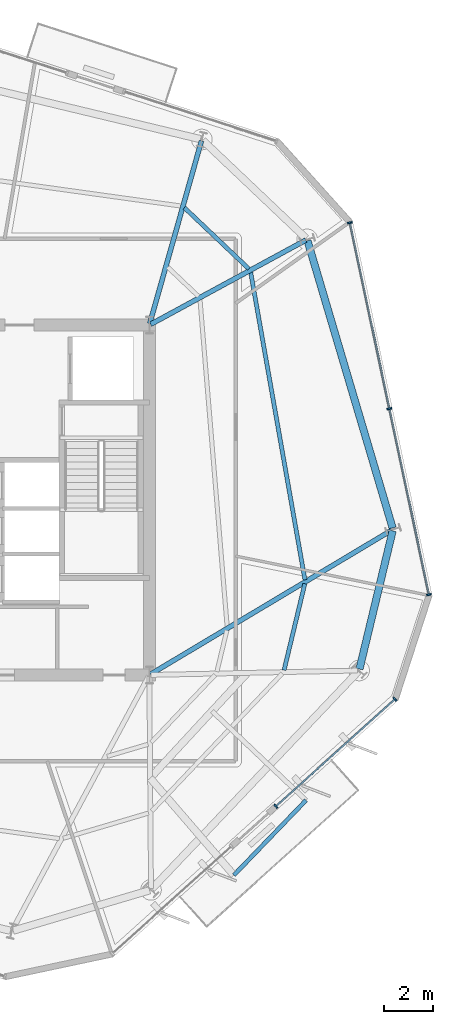
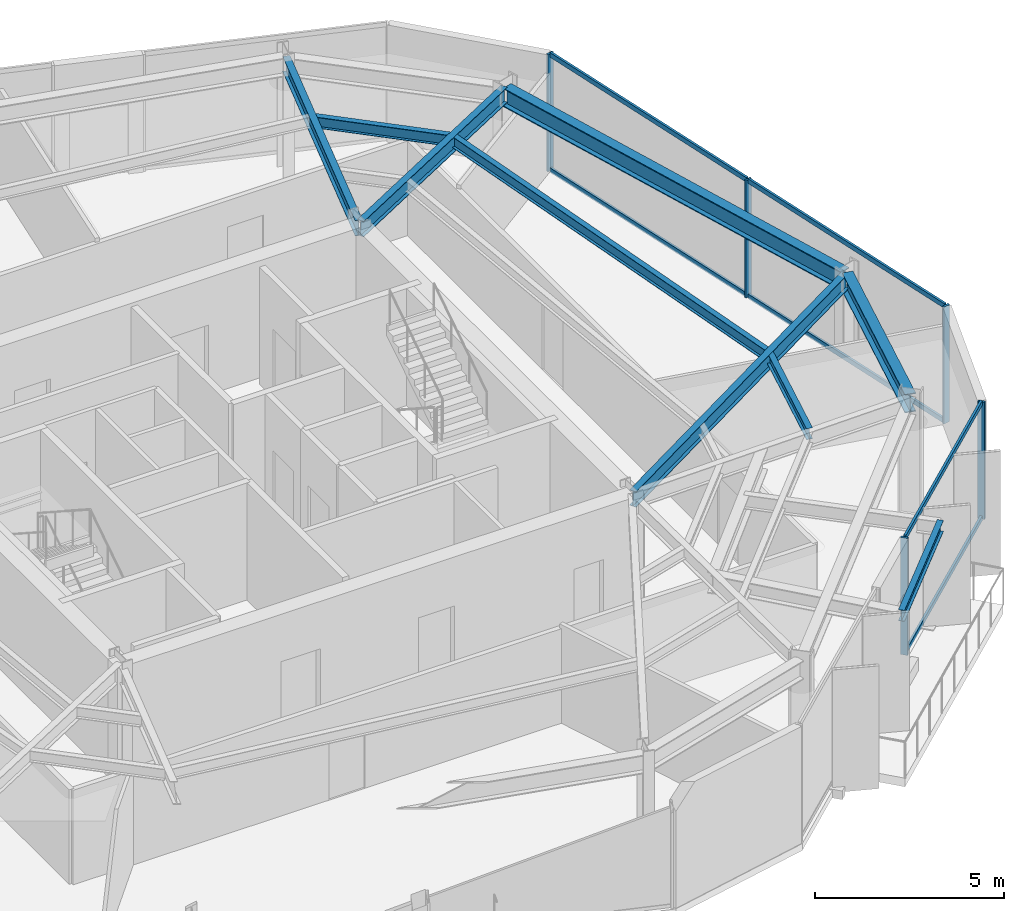
# One storey, part 4 of 11: 11 members, 9 beams, 2 elements without a shape of their own.
"""IFC4 building model written with IfcOpenShell, lengths in metres."""

from ifc_helpers import new_model, si_unit, direction, frame, origin, origin_2d, place, context, subcontext, project, spatial, rectangle, i_section, extrude, material, layer, layer_set, material_profile, profile_set, type_object, element, aggregate, save


model = new_model("IFC4")

# Units and contexts
model_context = context("Model", 3, precision=1e-05, world=origin(), true_north=direction((0.0, 1.0)))
body_context = subcontext(model_context, "Body", "Model", "MODEL_VIEW")
ifc_project = project(units=[si_unit("LENGTHUNIT", "METRE"), si_unit("AREAUNIT", "SQUARE_METRE"), si_unit("VOLUMEUNIT", "CUBIC_METRE"), si_unit("PLANEANGLEUNIT", "RADIAN"), si_unit("MASSUNIT", "GRAM", prefix="KILO")], contexts=[model_context])

# Site, building, storey
site_placement = place(None, origin())
site = spatial("IfcSite", under=ifc_project, at=site_placement, CompositionType="ELEMENT")
building_placement = place(site_placement, origin())
building = spatial("IfcBuilding", under=site, at=building_placement, Name="Kranzbogen Civic Tower", CompositionType="ELEMENT")
storey_placement = place(building_placement, frame((0.0, 0.0, 192.800048828125)))
storey = spatial("IfcBuildingStorey", under=building, at=storey_placement, Name="L46", CompositionType="ELEMENT", Elevation=192.800048828125)

# Curtain wall, members
ifc_material_1 = material(Name="Pale Anodised Aluminium", Category="aluminium")
ifc_layer = layer(ifc_material_1, 0.219970703125, Name="Pale Anodised Aluminium")
ifc_layer_set = layer_set([ifc_layer], Name="Pale Anodised Aluminium")
curtain_wall_type = type_object("IfcCurtainWallType", Name="Zone 3 Stick Curtain Wall System CW-04", PredefinedType="USERDEFINED", material=ifc_layer_set)
curtain_wall_1_placement = place(storey_placement, origin())
curtain_wall_1 = element("IfcCurtainWall", 1, at=curtain_wall_1_placement, inside=storey, type_object=curtain_wall_type, Name="L46 curtain wall CW-L46-F5-S2", ObjectType="STICK CURTAIN WALL", PredefinedType="USERDEFINED")
ifc_material_profile_1 = material_profile(ifc_material_1, rectangle(XDim=0.070068359375, YDim=0.199951171875, at=origin_2d()), Name="ALU-M 70x200")
ifc_profile_set_1 = profile_set([ifc_material_profile_1], Name="Pale Anodised Aluminium")
member_type_1 = type_object("IfcMemberType", Name="Curtain Wall Mullion ALU-M 70x200", PredefinedType="MULLION", material=ifc_profile_set_1)
member_1_placement = place(storey_placement, frame((38.00634765625, 12.39208984375, 0.0), z_axis=(0.0, 0.0, 1.0), x_axis=(0.743107311977, 0.669172266974, 0.0)))
member_1 = element("IfcMember", 2, at=member_1_placement, type_object=member_type_1, Name="CW-04 mullion 1", PredefinedType="MULLION", context=body_context, shape_type="SweptSolid", body=[
    extrude(rectangle(XDim=0.070068359375, YDim=0.199951171875, at=origin_2d()), origin(), (0.0, 0.0, 1.0), 3.780029296875),
])
member_2_placement = place(storey_placement, frame((42.90673828125, 16.804931640625, 0.0), z_axis=(0.0, 0.0, 1.0), x_axis=(0.743107311977, 0.669172266974, 0.0)))
member_2 = element("IfcMember", 3, at=member_2_placement, type_object=member_type_1, Name="CW-04 mullion 2", PredefinedType="MULLION", context=body_context, shape_type="SweptSolid", body=[
    extrude(rectangle(XDim=0.070068359375, YDim=0.199951171875, at=origin_2d()), origin(), (0.0, 0.0, 1.0), 3.780029296875),
])

curtain_wall_2_placement = place(storey_placement, origin())
curtain_wall_2 = element("IfcCurtainWall", 4, at=curtain_wall_2_placement, inside=storey, type_object=curtain_wall_type, Name="L46 curtain wall CW-L46-F6", ObjectType="STICK CURTAIN WALL", PredefinedType="USERDEFINED")
member_3_placement = place(storey_placement, frame((44.3037109375, 21.104248046875, 0.0), z_axis=(0.0, 0.0, 1.0), x_axis=(-0.2079158588, 0.978146714793, 0.0)))
member_3 = element("IfcMember", 5, at=member_3_placement, type_object=member_type_1, Name="CW-04 mullion 1", PredefinedType="MULLION", context=body_context, shape_type="SweptSolid", body=[
    extrude(rectangle(XDim=0.070068359375, YDim=0.199951171875, at=origin_2d()), origin(), (0.0, 0.0, 1.0), 3.780029296875),
])
member_4_placement = place(storey_placement, frame((42.677001953125, 28.757568359375, 0.0), z_axis=(0.0, 0.0, 1.0), x_axis=(-0.2079158588, 0.978146714793, 0.0)))
member_4 = element("IfcMember", 6, at=member_4_placement, type_object=member_type_1, Name="CW-04 mullion 2", PredefinedType="MULLION", context=body_context, shape_type="SweptSolid", body=[
    extrude(rectangle(XDim=0.070068359375, YDim=0.199951171875, at=origin_2d()), origin(), (0.0, 0.0, 1.0), 3.780029296875),
])
member_5_placement = place(storey_placement, frame((41.05029296875, 36.41064453125, 0.0), z_axis=(0.0, 0.0, 1.0), x_axis=(-0.2079158588, 0.978146714793, 0.0)))
member_5 = element("IfcMember", 7, at=member_5_placement, type_object=member_type_1, Name="CW-04 mullion 3", PredefinedType="MULLION", context=body_context, shape_type="SweptSolid", body=[
    extrude(rectangle(XDim=0.070068359375, YDim=0.199951171875, at=origin_2d()), origin(), (0.0, 0.0, 1.0), 3.780029296875),
])

# Member
ifc_material_profile_2 = material_profile(ifc_material_1, rectangle(XDim=0.070068359375, YDim=0.14990234375, at=origin_2d()), Name="ALU-T 70x150")
ifc_profile_set_2 = profile_set([ifc_material_profile_2], Name="Pale Anodised Aluminium")
member_type_2 = type_object("IfcMemberType", Name="Curtain Wall Transom ALU-T 70x150", PredefinedType="USERDEFINED", material=ifc_profile_set_2)
member_6_placement = place(storey_placement, frame((38.028564453125, 12.412109375, 0.030029296875), z_axis=(0.743108345144, 0.669171119652, 0.0), x_axis=(-0.669171119652, 0.743108345144, 0.0)))
member_6 = element("IfcMember", 8, at=member_6_placement, type_object=member_type_2, Name="CW-04 transom 1.1", ObjectType="TRANSOM", PredefinedType="USERDEFINED", context=body_context, shape_type="SweptSolid", body=[
    extrude(rectangle(XDim=0.070068359375, YDim=0.14990234375, at=origin_2d()), origin(), (0.0, 0.0, 1.0), 6.53466796875),
])

member_7_placement = place(storey_placement, frame((38.028564453125, 12.412109375, 3.75), z_axis=(0.743108345144, 0.669171119652, 0.0), x_axis=(-0.669171119652, 0.743108345144, 0.0)))
member_7 = element("IfcMember", 9, at=member_7_placement, type_object=member_type_2, Name="CW-04 transom 1.2", ObjectType="TRANSOM", PredefinedType="USERDEFINED", context=body_context, shape_type="SweptSolid", body=[
    extrude(rectangle(XDim=0.070068359375, YDim=0.14990234375, at=origin_2d()), origin(), (0.0, 0.0, 1.0), 6.53466796875),
])

aggregate(curtain_wall_1, [member_1, member_2, member_6, member_7])

member_8_placement = place(storey_placement, frame((44.297607421875, 21.1337890625, 0.030029296875), z_axis=(-0.207911782161, 0.978147581318, 0.0), x_axis=(-0.978147581318, -0.207911782161, 0.0)))
member_8 = element("IfcMember", 10, at=member_8_placement, type_object=member_type_2, Name="CW-04 transom 1.1", ObjectType="TRANSOM", PredefinedType="USERDEFINED", context=body_context, shape_type="SweptSolid", body=[
    extrude(rectangle(XDim=0.070068359375, YDim=0.14990234375, at=origin_2d()), origin(), (0.0, 0.0, 1.0), 7.76416015625),
])

member_9_placement = place(storey_placement, frame((44.297607421875, 21.1337890625, 3.75), z_axis=(-0.207911782161, 0.978147581318, 0.0), x_axis=(-0.978147581318, -0.207911782161, 0.0)))
member_9 = element("IfcMember", 11, at=member_9_placement, type_object=member_type_2, Name="CW-04 transom 1.2", ObjectType="TRANSOM", PredefinedType="USERDEFINED", context=body_context, shape_type="SweptSolid", body=[
    extrude(rectangle(XDim=0.070068359375, YDim=0.14990234375, at=origin_2d()), origin(), (0.0, 0.0, 1.0), 7.76416015625),
])

member_10_placement = place(storey_placement, frame((42.670654296875, 28.786865234375, 0.030029296875), z_axis=(-0.207911782161, 0.978147581318, 0.0), x_axis=(-0.978147581318, -0.207911782161, 0.0)))
member_10 = element("IfcMember", 12, at=member_10_placement, type_object=member_type_2, Name="CW-04 transom 2.1", ObjectType="TRANSOM", PredefinedType="USERDEFINED", context=body_context, shape_type="SweptSolid", body=[
    extrude(rectangle(XDim=0.070068359375, YDim=0.14990234375, at=origin_2d()), origin(), (0.0, 0.0, 1.0), 7.76416015625),
])

member_11_placement = place(storey_placement, frame((42.670654296875, 28.786865234375, 3.75), z_axis=(-0.207911782161, 0.978147581318, 0.0), x_axis=(-0.978147581318, -0.207911782161, 0.0)))
member_11 = element("IfcMember", 13, at=member_11_placement, type_object=member_type_2, Name="CW-04 transom 2.2", ObjectType="TRANSOM", PredefinedType="USERDEFINED", context=body_context, shape_type="SweptSolid", body=[
    extrude(rectangle(XDim=0.070068359375, YDim=0.14990234375, at=origin_2d()), origin(), (0.0, 0.0, 1.0), 7.76416015625),
])

aggregate(curtain_wall_2, [member_3, member_4, member_5, member_8, member_9, member_10, member_11])

# Beams
ifc_material_2 = material(Name="Steel S355", Category="steel")
ifc_material_profile_3 = material_profile(ifc_material_2, i_section(OverallWidth=0.300048828125, OverallDepth=0.60009765625, WebThickness=0.015380859375, FlangeThickness=0.030029296875, at=origin_2d()), Name="HEB 600")
ifc_profile_set_3 = profile_set([ifc_material_profile_3], Name="Steel S355")
beam_type_1 = type_object("IfcBeamType", Name="Perimeter Tube Spandrel Beam HEB 600", PredefinedType="SPANDREL", material=ifc_profile_set_3)
beam_1_placement = place(storey_placement, frame((41.447021484375, 18.0419921875, 3.47998046875), z_axis=(0.233554380434, 0.972343741369, 0.0), x_axis=(-0.972343741369, 0.233554380434, 0.0)))
element("IfcBeam", 14, at=beam_1_placement, inside=storey, type_object=beam_type_1, Name="L46 perimeter spandrel beam 05", PredefinedType="SPANDREL", context=body_context, shape_type="SweptSolid", body=[
    extrude(i_section(OverallWidth=0.300048828125, OverallDepth=0.60009765625, WebThickness=0.015380859375, FlangeThickness=0.030029296875, at=origin_2d()), origin(), (0.0, 0.0, 1.0), 5.852783203125),
])
beam_2_placement = place(storey_placement, frame((42.81103515625, 23.84912109375, 3.47998046875), z_axis=(-0.284064048956, 0.958805306666, 0.0), x_axis=(-0.958805306666, -0.284064048956, 0.0)))
element("IfcBeam", 15, at=beam_2_placement, inside=storey, type_object=beam_type_1, Name="L46 perimeter spandrel beam 06", PredefinedType="SPANDREL", context=body_context, shape_type="SweptSolid", body=[
    extrude(i_section(OverallWidth=0.300048828125, OverallDepth=0.60009765625, WebThickness=0.015380859375, FlangeThickness=0.030029296875, at=origin_2d()), origin(), (0.0, 0.0, 1.0), 12.32470703125),
])
ifc_material_profile_4 = material_profile(ifc_material_2, i_section(OverallWidth=0.199951171875, OverallDepth=0.5, WebThickness=0.01025390625, FlangeThickness=0.01611328125, at=origin_2d()), Name="IPE 500")
ifc_profile_set_4 = profile_set([ifc_material_profile_4], Name="Steel S355")
beam_type_2 = type_object("IfcBeamType", Name="Radial Tower Floor Girder IPE 500", PredefinedType="BEAM", material=ifc_profile_set_4)
beam_3_placement = place(storey_placement, frame((42.77587890625, 23.760009765625, 3.530029296875), z_axis=(-0.858458551809, -0.512882944565, 0.0), x_axis=(0.512882944565, -0.858458551809, 0.0)))
element("IfcBeam", 16, at=beam_3_placement, inside=storey, type_object=beam_type_2, Name="L46 radial floor girder 06", PredefinedType="BEAM", context=body_context, shape_type="SweptSolid", body=[
    extrude(i_section(OverallWidth=0.199951171875, OverallDepth=0.5, WebThickness=0.01025390625, FlangeThickness=0.01611328125, at=origin_2d()), origin(), (0.0, 0.0, 1.0), 11.56005859375),
])
beam_4_placement = place(storey_placement, frame((39.239990234375, 35.695068359375, 3.530029296875), z_axis=(-0.878919430102, -0.476970266777, 0.0), x_axis=(0.476970266777, -0.878919430102, 0.0)))
element("IfcBeam", 17, at=beam_4_placement, inside=storey, type_object=beam_type_2, Name="L46 radial floor girder 07", PredefinedType="BEAM", context=body_context, shape_type="SweptSolid", body=[
    extrude(i_section(OverallWidth=0.199951171875, OverallDepth=0.5, WebThickness=0.01025390625, FlangeThickness=0.01611328125, at=origin_2d()), origin(), (0.0, 0.0, 1.0), 7.266845703125),
])
beam_5_placement = place(storey_placement, frame((34.945068359375, 39.777099609375, 3.530029296875), z_axis=(-0.272455078988, -0.962168503919, 0.0), x_axis=(0.962168503919, -0.272455078988, 0.0)))
element("IfcBeam", 18, at=beam_5_placement, inside=storey, type_object=beam_type_2, Name="L46 radial floor girder 08", PredefinedType="BEAM", context=body_context, shape_type="SweptSolid", body=[
    extrude(i_section(OverallWidth=0.199951171875, OverallDepth=0.5, WebThickness=0.01025390625, FlangeThickness=0.01611328125, at=origin_2d()), origin(), (0.0, 0.0, 1.0), 7.814697265625),
])
ifc_material_profile_5 = material_profile(ifc_material_2, i_section(OverallWidth=0.169921875, OverallDepth=0.360107421875, WebThickness=0.008056640625, FlangeThickness=0.0126953125, at=origin_2d()), Name="IPE 360")
ifc_profile_set_5 = profile_set([ifc_material_profile_5], Name="Steel S355")
beam_type_3 = type_object("IfcBeamType", Name="Secondary Composite Floor Joist IPE 360", PredefinedType="JOIST", material=ifc_profile_set_5)
beam_6_placement = place(storey_placement, frame((38.343994140625, 17.99609375, 3.599853515625), z_axis=(0.233534367714, 0.972348548154, 0.0), x_axis=(-0.972348548154, 0.233534367714, 0.0)))
element("IfcBeam", 19, at=beam_6_placement, inside=storey, type_object=beam_type_3, Name="L46 secondary floor joist 1.05", PredefinedType="JOIST", context=body_context, shape_type="SweptSolid", body=[
    extrude(i_section(OverallWidth=0.169921875, OverallDepth=0.360107421875, WebThickness=0.008056640625, FlangeThickness=0.0126953125, at=origin_2d()), origin(), (0.0, 0.0, 1.0), 3.6611328125),
])
beam_7_placement = place(storey_placement, frame((39.2041015625, 21.712890625, 3.599853515625), z_axis=(-0.173805911364, 0.984779927281, 0.0), x_axis=(-0.984779927281, -0.173805911364, 0.0)))
element("IfcBeam", 20, at=beam_7_placement, inside=storey, type_object=beam_type_3, Name="L46 secondary floor joist 1.06", PredefinedType="JOIST", context=body_context, shape_type="SweptSolid", body=[
    extrude(i_section(OverallWidth=0.169921875, OverallDepth=0.360107421875, WebThickness=0.008056640625, FlangeThickness=0.0126953125, at=origin_2d()), origin(), (0.0, 0.0, 1.0), 12.85986328125),
])
beam_8_placement = place(storey_placement, frame((36.89697265625, 34.510009765625, 3.599853515625), z_axis=(-0.725300648604, 0.688432254572, 0.0), x_axis=(-0.688432254572, -0.725300648604, 0.0)))
element("IfcBeam", 21, at=beam_8_placement, inside=storey, type_object=beam_type_3, Name="L46 secondary floor joist 1.07", PredefinedType="JOIST", context=body_context, shape_type="SweptSolid", body=[
    extrude(i_section(OverallWidth=0.169921875, OverallDepth=0.360107421875, WebThickness=0.008056640625, FlangeThickness=0.0126953125, at=origin_2d()), origin(), (0.0, 0.0, 1.0), 3.661865234375),
])
beam_9_placement = place(storey_placement, frame((36.278076171875, 9.56005859375, 3.570068359375), z_axis=(0.6937765224, 0.720190347732, 0.0), x_axis=(-0.720190347732, 0.6937765224, 0.0)))
element("IfcBeam", 22, at=beam_9_placement, inside=storey, type_object=beam_type_3, Name="L47 terrace outer edge trimmer L47-TB2", PredefinedType="JOIST", context=body_context, shape_type="SweptSolid", body=[
    extrude(i_section(OverallWidth=0.169921875, OverallDepth=0.360107421875, WebThickness=0.008056640625, FlangeThickness=0.0126953125, at=origin_2d()), origin(), (0.0, 0.0, 1.0), 4.279541015625),
])

save(model, "model.ifc")
